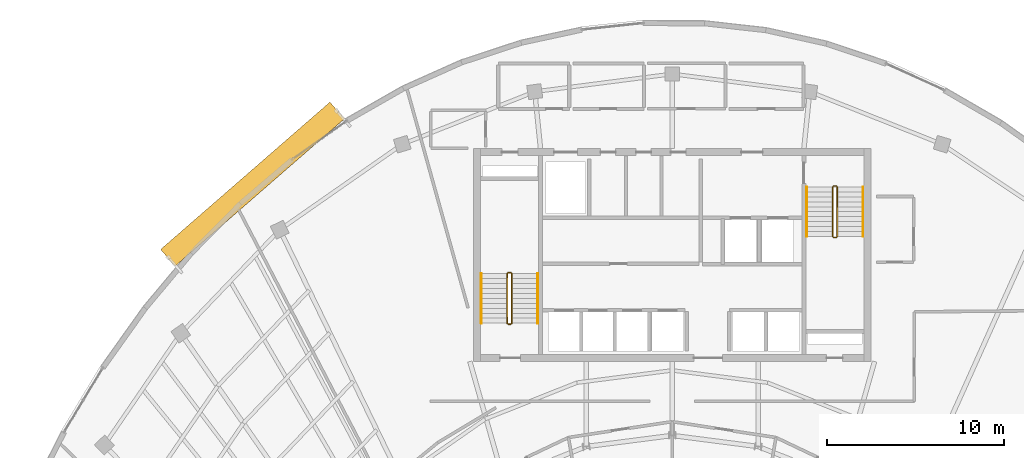
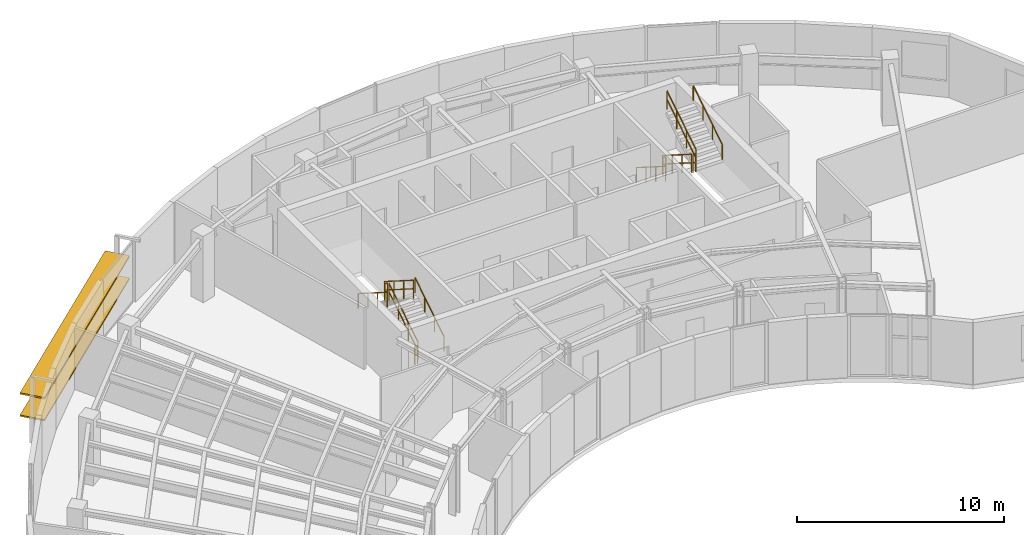
# One storey, part 13 of 13: 12 railings, 2 shading devices.
"""IFC4 building model written with IfcOpenShell, lengths in metres."""

from ifc_helpers import new_model, si_unit, direction, frame, origin, origin_2d, place, context, subcontext, project, spatial, rectangle, extrude, source, transform, mapped, material, material_profile, profile_set, type_object, element, save


model = new_model("IFC4")

# Units and contexts
model_context = context("Model", 3, precision=1e-05, world=origin(), true_north=direction((0.0, 1.0)))
body_context = subcontext(model_context, "Body", "Model", "MODEL_VIEW")
ifc_project = project(units=[si_unit("LENGTHUNIT", "METRE"), si_unit("AREAUNIT", "SQUARE_METRE"), si_unit("VOLUMEUNIT", "CUBIC_METRE"), si_unit("PLANEANGLEUNIT", "RADIAN"), si_unit("MASSUNIT", "GRAM", prefix="KILO")], contexts=[model_context])

# Site, building, storey
site_placement = place(None, origin())
site = spatial("IfcSite", under=ifc_project, at=site_placement, CompositionType="ELEMENT")
building_placement = place(site_placement, origin())
building = spatial("IfcBuilding", under=site, at=building_placement, Name="Breltana Convention Tower", CompositionType="ELEMENT")
storey_placement = place(building_placement, frame((0.0, 0.0, 271.800048828125)))
storey = spatial("IfcBuildingStorey", under=building, at=storey_placement, Name="L66", CompositionType="ELEMENT", Elevation=271.800048828125)

# Railings
ifc_material_1 = material(Name="Steel S275 Painted", Category="steel")
railing_type_1 = type_object("IfcRailingType", Name="RL-STAIR-GUARD-1100", PredefinedType="GUARDRAIL", material=ifc_material_1)
railing_1_placement = place(storey_placement, frame((38.9599609375, 62.360107421875, 0.17724609375)))
element("IfcRailing", 1, at=railing_1_placement, inside=storey, type_object=railing_type_1, Name="L66 ST-1 stair guard 1", PredefinedType="GUARDRAIL", context=body_context, shape_type="SweptSolid", body=[
    extrude(rectangle(XDim=0.048095703125, YDim=0.048095703125, at=origin_2d()), frame((0.0, 0.0, 1.076171875), z_axis=(0.0, 0.844887892834, 0.53494340686), x_axis=(-1.0, 0.0, 0.0)), (0.0, 0.0, 1.0), 3.313720703125),
    extrude(rectangle(XDim=0.048095703125, YDim=0.048095703125, at=origin_2d()), frame((0.0, 0.0, 0.572021484375), z_axis=(0.0, 0.844887892834, 0.53494340686), x_axis=(-1.0, 0.0, 0.0)), (0.0, 0.0, 1.0), 3.313720703125),
    extrude(rectangle(XDim=0.0419921875, YDim=0.0419921875, at=origin_2d()), origin(), (0.0, 0.0, 1.0), 1.052001953125),
    extrude(rectangle(XDim=0.0419921875, YDim=0.0419921875, at=origin_2d()), frame((0.0, 0.933349609375, 0.5908203125)), (0.0, 0.0, 1.0), 1.052001953125),
    extrude(rectangle(XDim=0.0419921875, YDim=0.0419921875, at=origin_2d()), frame((0.0, 1.866455078125, 1.181884765625)), (0.0, 0.0, 1.0), 1.052001953125),
    extrude(rectangle(XDim=0.0419921875, YDim=0.0419921875, at=origin_2d()), frame((0.0, 2.7998046875, 1.772705078125)), (0.0, 0.0, 1.0), 1.052001953125),
])
railing_2_placement = place(storey_placement, frame((38.909912109375, 65.2099609375, 1.949951171875)))
element("IfcRailing", 2, at=railing_2_placement, inside=storey, type_object=railing_type_1, Name="L66 ST-1 stair guard 2", PredefinedType="GUARDRAIL", context=body_context, shape_type="SweptSolid", body=[
    extrude(rectangle(XDim=0.048095703125, YDim=0.048095703125, at=origin_2d()), frame((0.0, 0.0, 1.076171875), z_axis=(-1.0, 0.0, 0.0), x_axis=(0.0, -1.0, 0.0)), (0.0, 0.0, 1.0), 0.14990234375),
    extrude(rectangle(XDim=0.048095703125, YDim=0.048095703125, at=origin_2d()), frame((0.0, 0.0, 0.572021484375), z_axis=(-1.0, 0.0, 0.0), x_axis=(0.0, -1.0, 0.0)), (0.0, 0.0, 1.0), 0.14990234375),
    extrude(rectangle(XDim=0.0419921875, YDim=0.0419921875, at=origin_2d()), origin(), (0.0, 0.0, 1.0), 1.052001953125),
    extrude(rectangle(XDim=0.0419921875, YDim=0.0419921875, at=origin_2d()), frame((-0.14990234375, 0.0, 0.0)), (0.0, 0.0, 1.0), 1.052001953125),
])
railing_3_placement = place(storey_placement, frame((38.7099609375, 65.159912109375, 2.127197265625)))
element("IfcRailing", 3, at=railing_3_placement, inside=storey, type_object=railing_type_1, Name="L66 ST-1 stair guard 3", PredefinedType="GUARDRAIL", context=body_context, shape_type="SweptSolid", body=[
    extrude(rectangle(XDim=0.048095703125, YDim=0.048095703125, at=origin_2d()), frame((0.0, 0.0, 1.076171875), z_axis=(0.0, -0.844887892834, 0.53494340686), x_axis=(1.0, 0.0, 0.0)), (0.0, 0.0, 1.0), 3.313720703125),
    extrude(rectangle(XDim=0.048095703125, YDim=0.048095703125, at=origin_2d()), frame((0.0, 0.0, 0.572021484375), z_axis=(0.0, -0.844887892834, 0.53494340686), x_axis=(1.0, 0.0, 0.0)), (0.0, 0.0, 1.0), 3.313720703125),
    extrude(rectangle(XDim=0.0419921875, YDim=0.0419921875, at=origin_2d()), origin(), (0.0, 0.0, 1.0), 1.052001953125),
    extrude(rectangle(XDim=0.0419921875, YDim=0.0419921875, at=origin_2d()), frame((0.0, -0.933349609375, 0.5908203125)), (0.0, 0.0, 1.0), 1.052001953125),
    extrude(rectangle(XDim=0.0419921875, YDim=0.0419921875, at=origin_2d()), frame((0.0, -1.866455078125, 1.181884765625)), (0.0, 0.0, 1.0), 1.052001953125),
    extrude(rectangle(XDim=0.0419921875, YDim=0.0419921875, at=origin_2d()), frame((0.0, -2.7998046875, 1.772705078125)), (0.0, 0.0, 1.0), 1.052001953125),
])
railing_4_placement = place(storey_placement, frame((38.909912109375, 62.31005859375, 0.0)))
element("IfcRailing", 4, at=railing_4_placement, inside=storey, type_object=railing_type_1, Name="L66 ST-1 stair guard 4", PredefinedType="GUARDRAIL", context=body_context, shape_type="SweptSolid", body=[
    extrude(rectangle(XDim=0.048095703125, YDim=0.048095703125, at=origin_2d()), frame((0.0, 0.0, 1.076171875), z_axis=(-1.0, 0.0, 0.0), x_axis=(0.0, -1.0, 0.0)), (0.0, 0.0, 1.0), 0.14990234375),
    extrude(rectangle(XDim=0.048095703125, YDim=0.048095703125, at=origin_2d()), frame((0.0, 0.0, 0.572021484375), z_axis=(-1.0, 0.0, 0.0), x_axis=(0.0, -1.0, 0.0)), (0.0, 0.0, 1.0), 0.14990234375),
    extrude(rectangle(XDim=0.0419921875, YDim=0.0419921875, at=origin_2d()), origin(), (0.0, 0.0, 1.0), 1.052001953125),
    extrude(rectangle(XDim=0.0419921875, YDim=0.0419921875, at=origin_2d()), frame((-0.14990234375, 0.0, 0.0)), (0.0, 0.0, 1.0), 1.052001953125),
])
railing_5_placement = place(storey_placement, frame((57.0400390625, 70.0400390625, 0.17724609375)))
element("IfcRailing", 5, at=railing_5_placement, inside=storey, type_object=railing_type_1, Name="L66 ST-2 stair guard 1", PredefinedType="GUARDRAIL", context=body_context, shape_type="SweptSolid", body=[
    extrude(rectangle(XDim=0.048095703125, YDim=0.048095703125, at=origin_2d()), frame((0.0, 0.0, 1.076171875), z_axis=(0.0, -0.844908973607, 0.534910110503), x_axis=(1.0, 0.0, 0.0)), (0.0, 0.0, 1.0), 3.31396484375),
    extrude(rectangle(XDim=0.048095703125, YDim=0.048095703125, at=origin_2d()), frame((0.0, 0.0, 0.572021484375), z_axis=(0.0, -0.844908973607, 0.534910110503), x_axis=(1.0, 0.0, 0.0)), (0.0, 0.0, 1.0), 3.31396484375),
    extrude(rectangle(XDim=0.0419921875, YDim=0.0419921875, at=origin_2d()), origin(), (0.0, 0.0, 1.0), 1.052001953125),
    extrude(rectangle(XDim=0.0419921875, YDim=0.0419921875, at=origin_2d()), frame((0.0, -0.933349609375, 0.5908203125)), (0.0, 0.0, 1.0), 1.052001953125),
    extrude(rectangle(XDim=0.0419921875, YDim=0.0419921875, at=origin_2d()), frame((0.0, -1.86669921875, 1.181884765625)), (0.0, 0.0, 1.0), 1.052001953125),
    extrude(rectangle(XDim=0.0419921875, YDim=0.0419921875, at=origin_2d()), frame((0.0, -2.800048828125, 1.772705078125)), (0.0, 0.0, 1.0), 1.052001953125),
])
railing_6_placement = place(storey_placement, frame((57.090087890625, 67.18994140625, 1.949951171875)))
element("IfcRailing", 6, at=railing_6_placement, inside=storey, type_object=railing_type_1, Name="L66 ST-2 stair guard 2", PredefinedType="GUARDRAIL", context=body_context, shape_type="SweptSolid", body=[
    extrude(rectangle(XDim=0.048095703125, YDim=0.048095703125, at=origin_2d()), frame((0.0, 0.0, 1.076171875), z_axis=(1.0, 0.0, 0.0), x_axis=(0.0, 1.0, 0.0)), (0.0, 0.0, 1.0), 0.14990234375),
    extrude(rectangle(XDim=0.048095703125, YDim=0.048095703125, at=origin_2d()), frame((0.0, 0.0, 0.572021484375), z_axis=(1.0, 0.0, 0.0), x_axis=(0.0, 1.0, 0.0)), (0.0, 0.0, 1.0), 0.14990234375),
    extrude(rectangle(XDim=0.0419921875, YDim=0.0419921875, at=origin_2d()), origin(), (0.0, 0.0, 1.0), 1.052001953125),
    extrude(rectangle(XDim=0.0419921875, YDim=0.0419921875, at=origin_2d()), frame((0.14990234375, 0.0, 0.0)), (0.0, 0.0, 1.0), 1.052001953125),
])
railing_7_placement = place(storey_placement, frame((57.2900390625, 67.239990234375, 2.127197265625)))
element("IfcRailing", 7, at=railing_7_placement, inside=storey, type_object=railing_type_1, Name="L66 ST-2 stair guard 3", PredefinedType="GUARDRAIL", context=body_context, shape_type="SweptSolid", body=[
    extrude(rectangle(XDim=0.048095703125, YDim=0.048095703125, at=origin_2d()), frame((0.0, 0.0, 1.076171875), z_axis=(0.0, 0.844908973607, 0.534910110503), x_axis=(-1.0, 0.0, 0.0)), (0.0, 0.0, 1.0), 3.31396484375),
    extrude(rectangle(XDim=0.048095703125, YDim=0.048095703125, at=origin_2d()), frame((0.0, 0.0, 0.572021484375), z_axis=(0.0, 0.844908973607, 0.534910110503), x_axis=(-1.0, 0.0, 0.0)), (0.0, 0.0, 1.0), 3.31396484375),
    extrude(rectangle(XDim=0.0419921875, YDim=0.0419921875, at=origin_2d()), origin(), (0.0, 0.0, 1.0), 1.052001953125),
    extrude(rectangle(XDim=0.0419921875, YDim=0.0419921875, at=origin_2d()), frame((0.0, 0.933349609375, 0.5908203125)), (0.0, 0.0, 1.0), 1.052001953125),
    extrude(rectangle(XDim=0.0419921875, YDim=0.0419921875, at=origin_2d()), frame((0.0, 1.86669921875, 1.181884765625)), (0.0, 0.0, 1.0), 1.052001953125),
    extrude(rectangle(XDim=0.0419921875, YDim=0.0419921875, at=origin_2d()), frame((0.0, 2.800048828125, 1.772705078125)), (0.0, 0.0, 1.0), 1.052001953125),
])
railing_8_placement = place(storey_placement, frame((57.090087890625, 70.090087890625, 0.0)))
element("IfcRailing", 8, at=railing_8_placement, inside=storey, type_object=railing_type_1, Name="L66 ST-2 stair guard 4", PredefinedType="GUARDRAIL", context=body_context, shape_type="SweptSolid", body=[
    extrude(rectangle(XDim=0.048095703125, YDim=0.048095703125, at=origin_2d()), frame((0.0, 0.0, 1.076171875), z_axis=(1.0, 0.0, 0.0), x_axis=(0.0, 1.0, 0.0)), (0.0, 0.0, 1.0), 0.14990234375),
    extrude(rectangle(XDim=0.048095703125, YDim=0.048095703125, at=origin_2d()), frame((0.0, 0.0, 0.572021484375), z_axis=(1.0, 0.0, 0.0), x_axis=(0.0, 1.0, 0.0)), (0.0, 0.0, 1.0), 0.14990234375),
    extrude(rectangle(XDim=0.0419921875, YDim=0.0419921875, at=origin_2d()), origin(), (0.0, 0.0, 1.0), 1.052001953125),
    extrude(rectangle(XDim=0.0419921875, YDim=0.0419921875, at=origin_2d()), frame((0.14990234375, 0.0, 0.0)), (0.0, 0.0, 1.0), 1.052001953125),
])
ifc_material_2 = material(Name="Stainless Steel 316L", Category="steel")
railing_type_2 = type_object("IfcRailingType", Name="RL-STAIR-HANDRAIL-900", PredefinedType="HANDRAIL", material=ifc_material_2)
railing_9_placement = place(storey_placement, frame((40.419921875, 62.360107421875, 0.17724609375)))
element("IfcRailing", 9, at=railing_9_placement, inside=storey, type_object=railing_type_2, Name="L66 ST-1 stair handrail 1", PredefinedType="HANDRAIL", context=body_context, shape_type="SweptSolid", body=[
    extrude(rectangle(XDim=0.048095703125, YDim=0.048095703125, at=origin_2d()), frame((0.0, 0.0, 0.8759765625), z_axis=(0.0, 0.844887892834, 0.53494340686), x_axis=(-1.0, 0.0, 0.0)), (0.0, 0.0, 1.0), 3.313720703125),
    extrude(rectangle(XDim=0.0419921875, YDim=0.0419921875, at=origin_2d()), origin(), (0.0, 0.0, 1.0), 0.851806640625),
    extrude(rectangle(XDim=0.0419921875, YDim=0.0419921875, at=origin_2d()), frame((0.0, 0.933349609375, 0.5908203125)), (0.0, 0.0, 1.0), 0.851806640625),
    extrude(rectangle(XDim=0.0419921875, YDim=0.0419921875, at=origin_2d()), frame((0.0, 1.866455078125, 1.181884765625)), (0.0, 0.0, 1.0), 0.851806640625),
    extrude(rectangle(XDim=0.0419921875, YDim=0.0419921875, at=origin_2d()), frame((0.0, 2.7998046875, 1.772705078125)), (0.0, 0.0, 1.0), 0.851806640625),
])
railing_10_placement = place(storey_placement, frame((37.25, 65.159912109375, 2.127197265625)))
element("IfcRailing", 10, at=railing_10_placement, inside=storey, type_object=railing_type_2, Name="L66 ST-1 stair handrail 2", PredefinedType="HANDRAIL", context=body_context, shape_type="SweptSolid", body=[
    extrude(rectangle(XDim=0.048095703125, YDim=0.048095703125, at=origin_2d()), frame((0.0, 0.0, 0.8759765625), z_axis=(0.0, -0.844887892834, 0.53494340686), x_axis=(1.0, 0.0, 0.0)), (0.0, 0.0, 1.0), 3.313720703125),
    extrude(rectangle(XDim=0.0419921875, YDim=0.0419921875, at=origin_2d()), origin(), (0.0, 0.0, 1.0), 0.851806640625),
    extrude(rectangle(XDim=0.0419921875, YDim=0.0419921875, at=origin_2d()), frame((0.0, -0.933349609375, 0.5908203125)), (0.0, 0.0, 1.0), 0.851806640625),
    extrude(rectangle(XDim=0.0419921875, YDim=0.0419921875, at=origin_2d()), frame((0.0, -1.866455078125, 1.181884765625)), (0.0, 0.0, 1.0), 0.851806640625),
    extrude(rectangle(XDim=0.0419921875, YDim=0.0419921875, at=origin_2d()), frame((0.0, -2.7998046875, 1.772705078125)), (0.0, 0.0, 1.0), 0.851806640625),
])
railing_11_placement = place(storey_placement, frame((55.580078125, 70.0400390625, 0.17724609375)))
element("IfcRailing", 11, at=railing_11_placement, inside=storey, type_object=railing_type_2, Name="L66 ST-2 stair handrail 1", PredefinedType="HANDRAIL", context=body_context, shape_type="SweptSolid", body=[
    extrude(rectangle(XDim=0.048095703125, YDim=0.048095703125, at=origin_2d()), frame((0.0, 0.0, 0.8759765625), z_axis=(0.0, -0.844908973607, 0.534910110503), x_axis=(1.0, 0.0, 0.0)), (0.0, 0.0, 1.0), 3.31396484375),
    extrude(rectangle(XDim=0.0419921875, YDim=0.0419921875, at=origin_2d()), origin(), (0.0, 0.0, 1.0), 0.851806640625),
    extrude(rectangle(XDim=0.0419921875, YDim=0.0419921875, at=origin_2d()), frame((0.0, -0.933349609375, 0.5908203125)), (0.0, 0.0, 1.0), 0.851806640625),
    extrude(rectangle(XDim=0.0419921875, YDim=0.0419921875, at=origin_2d()), frame((0.0, -1.86669921875, 1.181884765625)), (0.0, 0.0, 1.0), 0.851806640625),
    extrude(rectangle(XDim=0.0419921875, YDim=0.0419921875, at=origin_2d()), frame((0.0, -2.800048828125, 1.772705078125)), (0.0, 0.0, 1.0), 0.851806640625),
])
railing_12_placement = place(storey_placement, frame((58.75, 67.239990234375, 2.127197265625)))
element("IfcRailing", 12, at=railing_12_placement, inside=storey, type_object=railing_type_2, Name="L66 ST-2 stair handrail 2", PredefinedType="HANDRAIL", context=body_context, shape_type="SweptSolid", body=[
    extrude(rectangle(XDim=0.048095703125, YDim=0.048095703125, at=origin_2d()), frame((0.0, 0.0, 0.8759765625), z_axis=(0.0, 0.844908973607, 0.534910110503), x_axis=(-1.0, 0.0, 0.0)), (0.0, 0.0, 1.0), 3.31396484375),
    extrude(rectangle(XDim=0.0419921875, YDim=0.0419921875, at=origin_2d()), origin(), (0.0, 0.0, 1.0), 0.851806640625),
    extrude(rectangle(XDim=0.0419921875, YDim=0.0419921875, at=origin_2d()), frame((0.0, 0.933349609375, 0.5908203125)), (0.0, 0.0, 1.0), 0.851806640625),
    extrude(rectangle(XDim=0.0419921875, YDim=0.0419921875, at=origin_2d()), frame((0.0, 1.86669921875, 1.181884765625)), (0.0, 0.0, 1.0), 0.851806640625),
    extrude(rectangle(XDim=0.0419921875, YDim=0.0419921875, at=origin_2d()), frame((0.0, 2.800048828125, 1.772705078125)), (0.0, 0.0, 1.0), 0.851806640625),
])

# Shading devices
ifc_material_3 = material(Name="Limestone Warm Buff Honed", Category="masonry")
ifc_material_profile = material_profile(ifc_material_3, rectangle(XDim=1.25, YDim=0.090087890625, at=origin_2d()), Name="STN-LVR-1250X90")
ifc_profile_set = profile_set([ifc_material_profile], Name="Limestone Warm Buff Honed")
shading_device_type = type_object("IfcShadingDeviceType", Name="SHD-OUTER-SKIN-LIMESTONE-1250", PredefinedType="JALOUSIE", material=ifc_profile_set)
shared_shape = source(origin(), body_context, "Body", "SweptSolid", [
    extrude(rectangle(XDim=1.25, YDim=0.090087890625, at=origin_2d()), origin(), (0.0, 0.0, 1.0), 12.646484375),
])
for number, where, z_axis, x_axis, name in (
    (13, (19.582275390625, 66.044189453125, 1.310302734375), (0.754367743007, 0.656452060938, 0.0), (-0.656452060938, 0.754367743007, 0.0), "L66 outer skin warm limestone louvre 1.1"),
    (14, (19.582275390625, 66.044189453125, 2.620849609375), (0.754367743007, 0.656452060938, 0.0), (-0.656452060938, 0.754367743007, 0.0), "L66 outer skin warm limestone louvre 1.2"),
):
    element("IfcShadingDevice", number, at=place(storey_placement, frame(where, z_axis=z_axis, x_axis=x_axis)), inside=storey, type_object=shading_device_type, Name=name, PredefinedType="JALOUSIE", context=body_context, shape_type="MappedRepresentation", body=[
        mapped(shared_shape, transform((0.0, 0.0, 0.0), scale=1.0)),
    ])

save(model, "model.ifc")
